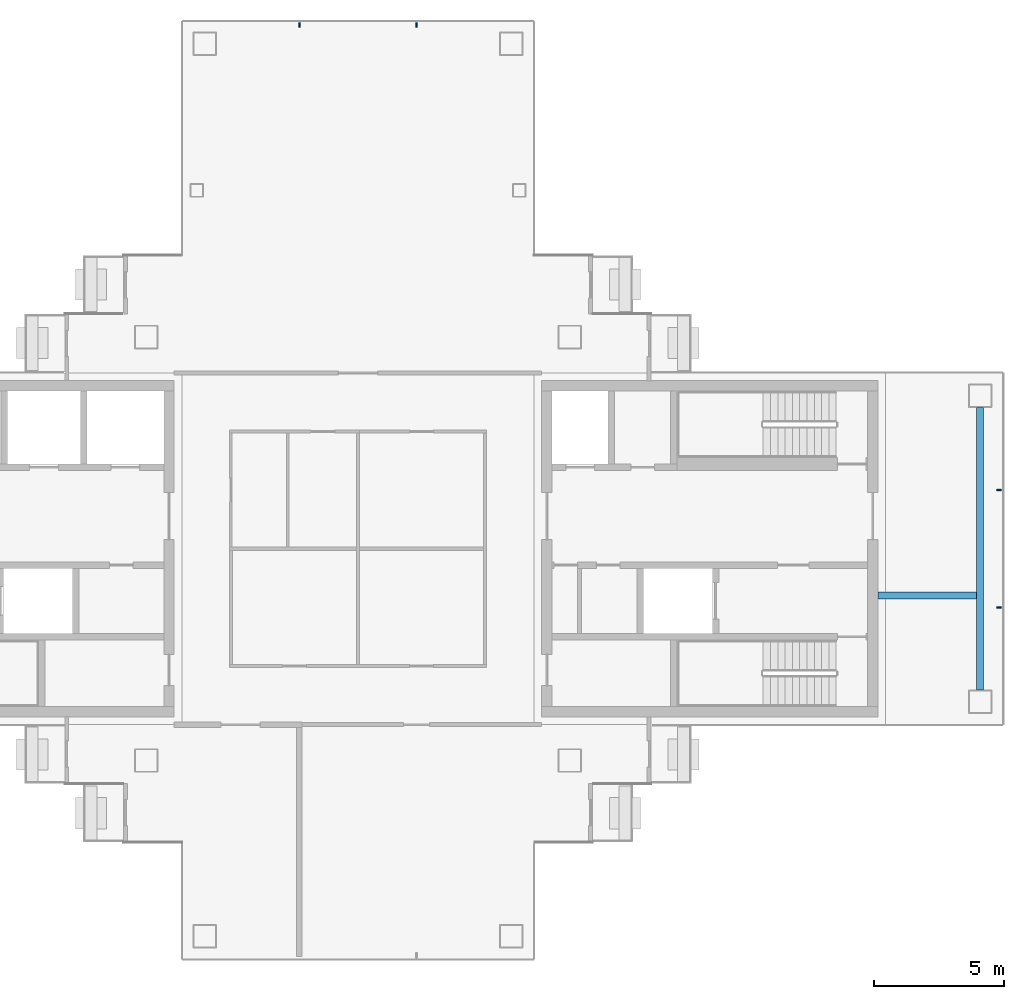
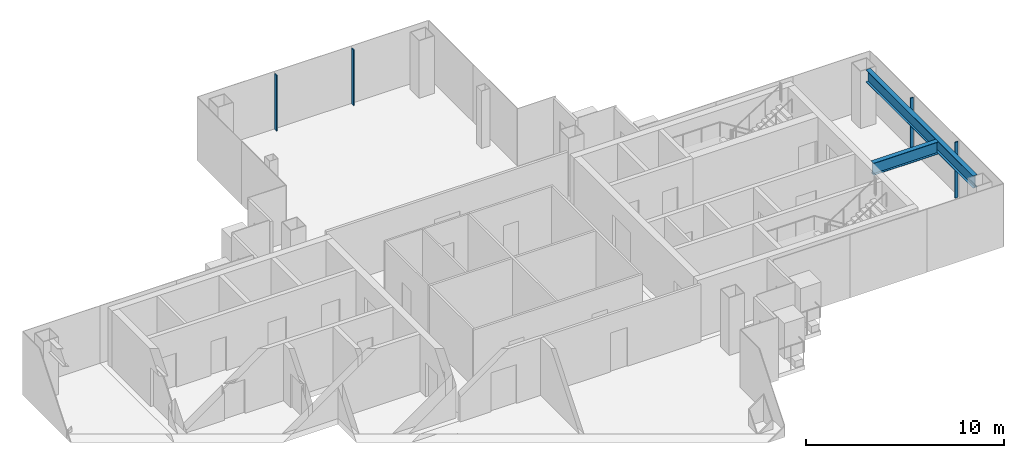
# One storey, part 6 of 17: 4 members, 2 beams, 2 elements without a shape of their own.
"""IFC4 building model written with IfcOpenShell, lengths in metres."""

from ifc_helpers import new_model, si_unit, direction, frame, origin, origin_2d, place, context, subcontext, project, spatial, rectangle, i_section, extrude, material, layer, layer_set, material_profile, profile_set, type_object, element, aggregate, save


model = new_model("IFC4")

# Units and contexts
model_context = context("Model", 3, precision=1e-05, world=origin(), true_north=direction((0.0, 1.0)))
body_context = subcontext(model_context, "Body", "Model", "MODEL_VIEW")
ifc_project = project(units=[si_unit("LENGTHUNIT", "METRE"), si_unit("AREAUNIT", "SQUARE_METRE"), si_unit("VOLUMEUNIT", "CUBIC_METRE"), si_unit("PLANEANGLEUNIT", "RADIAN"), si_unit("MASSUNIT", "GRAM", prefix="KILO")], contexts=[model_context])

# Site, building, storey
site_placement = place(None, origin())
site = spatial("IfcSite", under=ifc_project, at=site_placement, CompositionType="ELEMENT")
building_placement = place(site_placement, origin())
building = spatial("IfcBuilding", under=site, at=building_placement, Name="Shamsa Quay Exchange Towers", CompositionType="ELEMENT")
storey_placement = place(building_placement, frame((0.0, 0.0, 257.699951171875)))
storey = spatial("IfcBuildingStorey", under=building, at=storey_placement, Name="L62", CompositionType="ELEMENT", Elevation=257.699951171875)

# Curtain wall, members
ifc_material_1 = material(Name="Aluminium EN AW-6063 T6, black anodised", Category="aluminium")
ifc_layer = layer(ifc_material_1, 0.280029296875)
ifc_layer_set = layer_set([ifc_layer], Name="CW-1 UNITISED VISION GLASS")
curtain_wall_type = type_object("IfcCurtainWallType", Name="CW-1 UNITISED VISION GLASS", PredefinedType="NOTDEFINED", material=ifc_layer_set)
curtain_wall_1_placement = place(storey_placement, origin())
curtain_wall_1 = element("IfcCurtainWall", 1, at=curtain_wall_1_placement, inside=storey, type_object=curtain_wall_type, Name="CW1 T2-END-V- L62", PredefinedType="NOTDEFINED")
ifc_material_profile_1 = material_profile(ifc_material_1, rectangle(XDim=0.179931640625, YDim=0.06005859375, at=origin_2d()), Name="MU60x180")
ifc_profile_set_1 = profile_set([ifc_material_profile_1], Name="Aluminium EN AW-6063 T6, black anodised")
member_type = type_object("IfcMemberType", Name="CW1 MULLION 60x180", PredefinedType="MULLION", material=ifc_profile_set_1)
member_1_placement = place(storey_placement, frame((58.35009765625, -2.25, 0.0), z_axis=(0.0, 0.0, 1.0), x_axis=(-1.0, 0.0, 0.0)))
member_1 = element("IfcMember", 2, at=member_1_placement, type_object=member_type, Name="CW1 mullion", PredefinedType="MULLION", context=body_context, shape_type="SweptSolid", body=[
    extrude(rectangle(XDim=0.179931640625, YDim=0.06005859375, at=origin_2d()), origin(), (0.0, 0.0, 1.0), 3.449951171875),
])
member_2_placement = place(storey_placement, frame((58.35009765625, 2.25, 0.0), z_axis=(0.0, 0.0, 1.0), x_axis=(-1.0, 0.0, 0.0)))
member_2 = element("IfcMember", 3, at=member_2_placement, type_object=member_type, Name="CW1 mullion", PredefinedType="MULLION", context=body_context, shape_type="SweptSolid", body=[
    extrude(rectangle(XDim=0.179931640625, YDim=0.06005859375, at=origin_2d()), origin(), (0.0, 0.0, 1.0), 3.449951171875),
])
aggregate(curtain_wall_1, [member_1, member_2])

curtain_wall_2_placement = place(storey_placement, origin())
curtain_wall_2 = element("IfcCurtainWall", 4, at=curtain_wall_2_placement, inside=storey, type_object=curtain_wall_type, Name="CW1 T2-END-U+ L62", PredefinedType="NOTDEFINED")
member_3_placement = place(storey_placement, frame((36.0, 20.10009765625, 0.0), z_axis=(0.0, 0.0, 1.0), x_axis=(0.0, -1.0, 0.0)))
member_3 = element("IfcMember", 5, at=member_3_placement, type_object=member_type, Name="CW1 mullion", PredefinedType="MULLION", context=body_context, shape_type="SweptSolid", body=[
    extrude(rectangle(XDim=0.179931640625, YDim=0.06005859375, at=origin_2d()), origin(), (0.0, 0.0, 1.0), 3.449951171875),
])
member_4_placement = place(storey_placement, frame((31.5, 20.10009765625, 0.0), z_axis=(0.0, 0.0, 1.0), x_axis=(0.0, -1.0, 0.0)))
member_4 = element("IfcMember", 6, at=member_4_placement, type_object=member_type, Name="CW1 mullion", PredefinedType="MULLION", context=body_context, shape_type="SweptSolid", body=[
    extrude(rectangle(XDim=0.179931640625, YDim=0.06005859375, at=origin_2d()), origin(), (0.0, 0.0, 1.0), 3.449951171875),
])
aggregate(curtain_wall_2, [member_3, member_4])

# Beams
ifc_material_2 = material(Name="Steel S355", Category="steel")
ifc_material_profile_2 = material_profile(ifc_material_2, i_section(OverallWidth=0.26611328125, OverallDepth=0.7578125, WebThickness=0.013916015625, FlangeThickness=0.019287109375, at=origin_2d()), Name="W30x108")
ifc_profile_set_2 = profile_set([ifc_material_profile_2], Name="Steel S355")
beam_type = type_object("IfcBeamType", Name="End-zone beam W30x108", PredefinedType="BEAM", material=ifc_profile_set_2)
beam_1_placement = place(storey_placement, frame((57.625, -5.425048828125, 3.171142578125), z_axis=(0.0, 1.0, 0.0), x_axis=(-1.0, 0.0, 0.0)))
element("IfcBeam", 7, at=beam_1_placement, inside=storey, type_object=beam_type, Name="End beam T2 V- end zone L62", PredefinedType="BEAM", context=body_context, shape_type="SweptSolid", body=[
    extrude(i_section(OverallWidth=0.26611328125, OverallDepth=0.7578125, WebThickness=0.013916015625, FlangeThickness=0.019287109375, at=origin_2d()), origin(), (0.0, 0.0, 1.0), 10.85009765625),
])
beam_2_placement = place(storey_placement, frame((53.699951171875, -1.800048828125, 3.171142578125), z_axis=(1.0, 0.0, 0.0), x_axis=(0.0, 1.0, 0.0)))
element("IfcBeam", 8, at=beam_2_placement, inside=storey, type_object=beam_type, Name="Spine beam T2 V- end zone L62", PredefinedType="BEAM", context=body_context, shape_type="SweptSolid", body=[
    extrude(i_section(OverallWidth=0.26611328125, OverallDepth=0.7578125, WebThickness=0.013916015625, FlangeThickness=0.019287109375, at=origin_2d()), origin(), (0.0, 0.0, 1.0), 3.7919921875),
])

save(model, "model.ifc")
